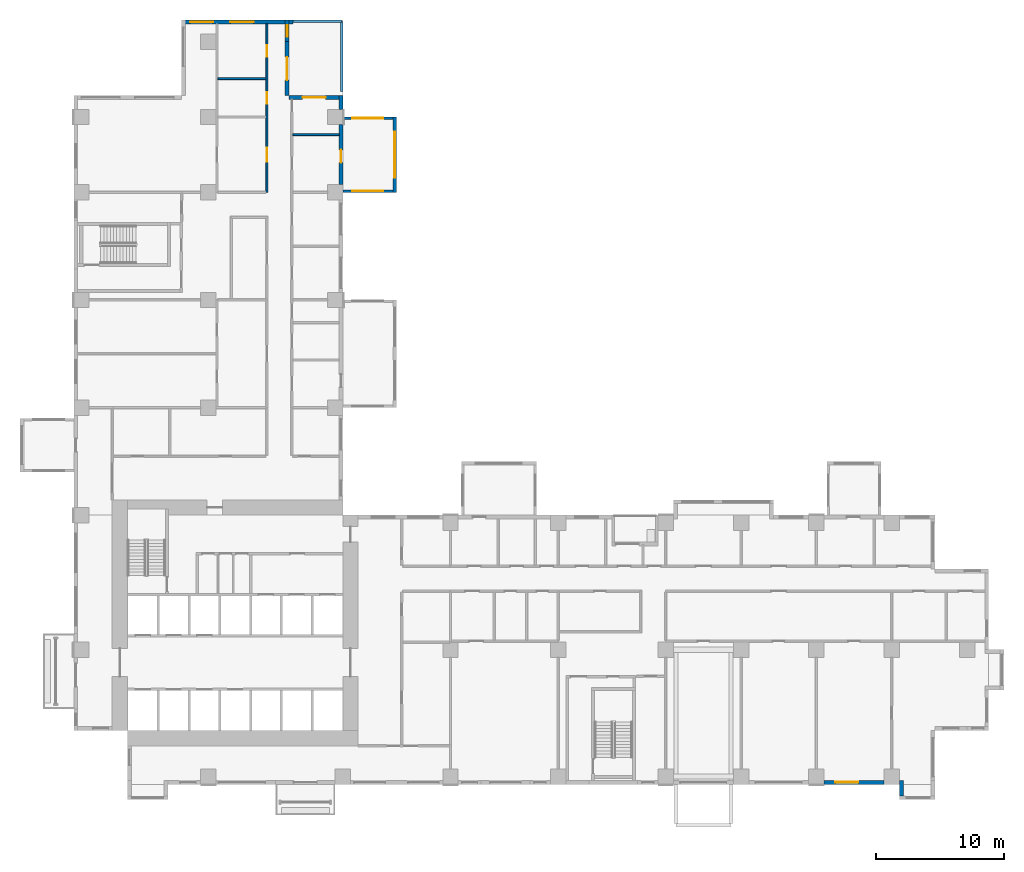
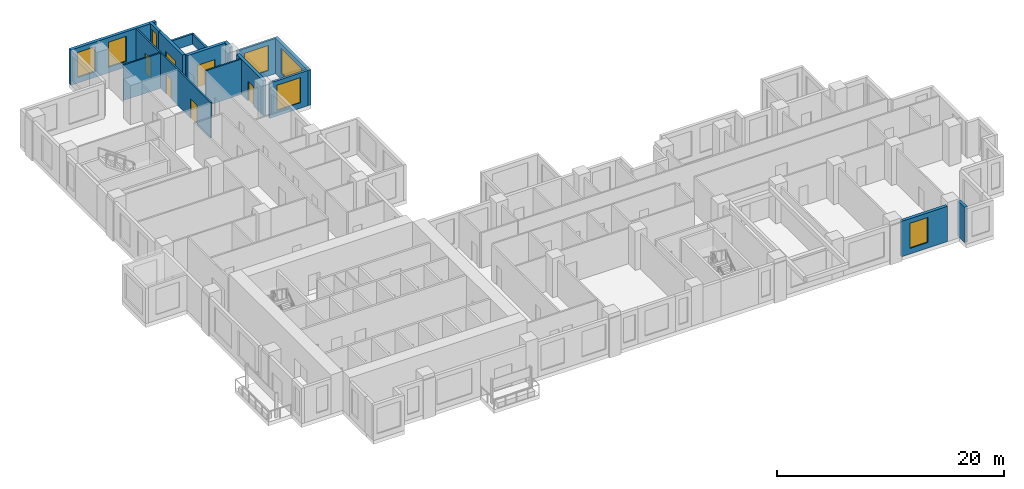
# One storey, part 8 of 14: 16 walls, 7 windows, 6 doors, 13 openings.
"""IFC4 building model written with IfcOpenShell, lengths in metres."""

from ifc_helpers import new_model, si_unit, direction, frame, frame_2d, origin, place, context, subcontext, project, spatial, rectangle, extrude, source, transform, mapped, material, layer, layer_set, type_object, element, fill, save


model = new_model("IFC4")

# Units and contexts
model_context = context("Model", 3, precision=1e-05, world=origin(), true_north=direction((0.0, 1.0)))
body_context = subcontext(model_context, "Body", "Model", "MODEL_VIEW")
ifc_project = project(units=[si_unit("LENGTHUNIT", "METRE"), si_unit("AREAUNIT", "SQUARE_METRE"), si_unit("VOLUMEUNIT", "CUBIC_METRE"), si_unit("PLANEANGLEUNIT", "RADIAN"), si_unit("MASSUNIT", "GRAM", prefix="KILO")], contexts=[model_context])

# Site, building, storey
site_placement = place(None, origin())
site = spatial("IfcSite", under=ifc_project, at=site_placement, CompositionType="ELEMENT")
building_placement = place(site_placement, origin())
building = spatial("IfcBuilding", under=site, at=building_placement, Name="Aurelian Terraces", CompositionType="ELEMENT")
storey_placement = place(building_placement, frame((0.0, 0.0, 90.9)))
storey = spatial("IfcBuildingStorey", under=building, at=storey_placement, Name="L19", CompositionType="ELEMENT", Elevation=90.9)

# Wall, opening, window
ifc_material_1 = material(Name="Terracotta rainscreen cladding", Category="masonry")
ifc_layer_1 = layer(ifc_material_1, 0.3)
ifc_layer_set_1 = layer_set([ifc_layer_1], Name="EW-300")
wall_type_1 = type_object("IfcWallType", Name="EW-300", PredefinedType="STANDARD", material=ifc_layer_set_1)
shared_shape_1 = source(origin(), body_context, "Body", "SweptSolid", [
    extrude(rectangle(XDim=4.68, YDim=0.3, at=frame_2d((2.34, 0.0))), origin(), (0.0, 0.0, 1.0), 3.8),
])
wall_1_placement = place(storey_placement, frame((58.56, 0.15, 0.0), z_axis=(0.0, 0.0, 1.0), x_axis=(1.0, 0.0, 0.0)))
wall_1 = element("IfcWall", 1, at=wall_1_placement, inside=storey, type_object=wall_type_1, Name="External wall L19 F01.10", PredefinedType="STANDARD", context=body_context, shape_type="MappedRepresentation", body=[
    mapped(shared_shape_1, transform((0.0, 0.0, 0.0), scale=1.0)),
])
shared_shape_2 = source(origin(), body_context, "Body", "SweptSolid", [
    extrude(rectangle(XDim=1.8, YDim=2.7, at=frame_2d((0.9, 1.35))), frame((0.0, 0.16, 0.0), z_axis=(0.0, -1.0, 0.0), x_axis=(1.0, 0.0, 0.0)), (0.0, 0.0, 1.0), 0.32),
])
opening_1_placement = place(wall_1_placement, frame((0.8775, 0.0, 0.6)))
opening_1 = element("IfcOpeningElement", 2, at=opening_1_placement, cuts=wall_1, Name="Opening W1827", PredefinedType="OPENING", context=body_context, shape_type="MappedRepresentation", body=[
    mapped(shared_shape_2, transform((0.0, 0.0, 0.0), scale=1.0)),
])
ifc_material_2 = material(Name="Clear glazing", Category="glass")
window_type_1 = type_object("IfcWindowType", Name="W-1800x2700", PartitioningType="SINGLE_PANEL", PredefinedType="WINDOW", material=ifc_material_2)
shared_shape_3 = source(origin(), body_context, "Body", "SweptSolid", [
    extrude(rectangle(XDim=1.8, YDim=2.7, at=frame_2d((0.9, 1.35))), frame((0.0, 0.03, 0.0), z_axis=(0.0, -1.0, 0.0), x_axis=(1.0, 0.0, 0.0)), (0.0, 0.0, 1.0), 0.06),
])
window_1_placement = place(opening_1_placement, origin())
window_1 = element("IfcWindow", 3, at=window_1_placement, inside=storey, type_object=window_type_1, Name="Window L19 L19-F01-10-0", OverallHeight=2.7, OverallWidth=1.8, PartitioningType="SINGLE_PANEL", PredefinedType="WINDOW", context=body_context, shape_type="MappedRepresentation", body=[
    mapped(shared_shape_3, transform((0.0, 0.0, 0.0), scale=1.0)),
])
fill(opening_1, window_1)

# Wall, opening, door
wall_2_placement = place(storey_placement, frame((20.85, 46.8, 0.0), z_axis=(0.0, 0.0, 1.0), x_axis=(0.0, 1.0, 0.0)))
wall_2 = element("IfcWall", 4, at=wall_2_placement, inside=storey, type_object=wall_type_1, Name="External wall L19 F08.27", PredefinedType="STANDARD", context=body_context, shape_type="MappedRepresentation", body=[
    mapped(shared_shape_1, transform((0.0, 0.0, 0.0), scale=1.0)),
])
shared_shape_4 = source(origin(), body_context, "Body", "SweptSolid", [
    extrude(rectangle(XDim=1.0, YDim=2.1, at=frame_2d((0.5, 1.05))), frame((0.0, 0.16, 0.0), z_axis=(0.0, -1.0, 0.0), x_axis=(1.0, 0.0, 0.0)), (0.0, 0.0, 1.0), 0.32),
])
opening_2_placement = place(wall_2_placement, frame((1.7117, 0.0, 0.0)))
opening_2 = element("IfcOpeningElement", 5, at=opening_2_placement, cuts=wall_2, Name="Opening 819001", PredefinedType="OPENING", context=body_context, shape_type="MappedRepresentation", body=[
    mapped(shared_shape_4, transform((0.0, 0.0, 0.0), scale=1.0)),
])
ifc_material_3 = material(Name="Timber door leaf", Category="wood")
door_type_1 = type_object("IfcDoorType", Name="Room door 1000x2100 left", OperationType="SINGLE_SWING_LEFT", PredefinedType="DOOR", material=ifc_material_3)
shared_shape_5 = source(origin(), body_context, "Body", "SweptSolid", [
    extrude(rectangle(XDim=1.0, YDim=2.1, at=frame_2d((0.5, 1.05))), frame((0.0, 0.025, 0.0), z_axis=(0.0, -1.0, 0.0), x_axis=(1.0, 0.0, 0.0)), (0.0, 0.0, 1.0), 0.05),
])
door_1_placement = place(opening_2_placement, origin())
door_1 = element("IfcDoor", 6, at=door_1_placement, inside=storey, type_object=door_type_1, Name="Door 819001", OperationType="SINGLE_SWING_LEFT", OverallHeight=2.1, OverallWidth=1.0, PredefinedType="DOOR", context=body_context, shape_type="MappedRepresentation", body=[
    mapped(shared_shape_5, transform((0.0, 0.0, 0.0), scale=1.0)),
])
fill(opening_2, door_1)

shared_shape_6 = source(origin(), body_context, "Body", "SweptSolid", [
    extrude(rectangle(XDim=4.2, YDim=0.3, at=frame_2d((2.1, 0.0))), origin(), (0.0, 0.0, 1.0), 3.8),
])
wall_3_placement = place(storey_placement, frame((21.0, 53.61, 0.0), z_axis=(0.0, 0.0, 1.0), x_axis=(-1.0, 0.0, 0.0)))
wall_3 = element("IfcWall", 7, at=wall_3_placement, inside=storey, type_object=wall_type_1, Name="External wall L19 F09.29", PredefinedType="STANDARD", context=body_context, shape_type="MappedRepresentation", body=[
    mapped(shared_shape_6, transform((0.0, 0.0, 0.0), scale=1.0)),
])
shared_shape_7 = source(origin(), body_context, "Body", "SweptSolid", [
    extrude(rectangle(XDim=1.8, YDim=2.4, at=frame_2d((0.9, 1.2))), frame((0.0, 0.16, 0.0), z_axis=(0.0, -1.0, 0.0), x_axis=(1.0, 0.0, 0.0)), (0.0, 0.0, 1.0), 0.32),
])
opening_3_placement = place(wall_3_placement, frame((1.35, 0.0, 0.0)))
opening_3 = element("IfcOpeningElement", 8, at=opening_3_placement, cuts=wall_3, Name="Opening 81903", PredefinedType="OPENING", context=body_context, shape_type="MappedRepresentation", body=[
    mapped(shared_shape_7, transform((0.0, 0.0, 0.0), scale=1.0)),
])
door_type_2 = type_object("IfcDoorType", Name="BD-1800x2400", OperationType="SLIDING_TO_LEFT", PredefinedType="DOOR", material=ifc_material_2)
shared_shape_8 = source(origin(), body_context, "Body", "SweptSolid", [
    extrude(rectangle(XDim=1.8, YDim=2.4, at=frame_2d((0.9, 1.2))), frame((0.0, 0.025, 0.0), z_axis=(0.0, -1.0, 0.0), x_axis=(1.0, 0.0, 0.0)), (0.0, 0.0, 1.0), 0.05),
])
door_2_placement = place(opening_3_placement, origin())
door_2 = element("IfcDoor", 9, at=door_2_placement, inside=storey, type_object=door_type_2, Name="Terrace door L19 L19-F09-29.1", OperationType="SLIDING_TO_LEFT", OverallHeight=2.4, OverallWidth=1.8, PredefinedType="DOOR", context=body_context, shape_type="MappedRepresentation", body=[
    mapped(shared_shape_8, transform((0.0, 0.0, 0.0), scale=1.0)),
])
fill(opening_3, door_2)

wall_4_placement = place(storey_placement, frame((16.65, 53.76, 0.0), z_axis=(0.0, 0.0, 1.0), x_axis=(0.0, 1.0, 0.0)))
wall_4 = element("IfcWall", 10, at=wall_4_placement, inside=storey, type_object=wall_type_1, Name="External wall L19 F10.30", PredefinedType="STANDARD", context=body_context, shape_type="MappedRepresentation", body=[
    mapped(shared_shape_6, transform((0.0, 0.0, 0.0), scale=1.0)),
])
opening_4_placement = place(wall_4_placement, frame((1.2, 0.0, 0.0)))
opening_4 = element("IfcOpeningElement", 11, at=opening_4_placement, cuts=wall_4, Name="Opening 81904", PredefinedType="OPENING", context=body_context, shape_type="MappedRepresentation", body=[
    mapped(shared_shape_7, transform((0.0, 0.0, 0.0), scale=1.0)),
])
door_3_placement = place(opening_4_placement, origin())
door_3 = element("IfcDoor", 12, at=door_3_placement, inside=storey, type_object=door_type_2, Name="Terrace door L19 L19-F10-30.1", OperationType="SLIDING_TO_LEFT", OverallHeight=2.4, OverallWidth=1.8, PredefinedType="DOOR", context=body_context, shape_type="MappedRepresentation", body=[
    mapped(shared_shape_8, transform((0.0, 0.0, 0.0), scale=1.0)),
])
fill(opening_4, door_3)

# Wall
shared_shape_9 = source(origin(), body_context, "Body", "SweptSolid", [
    extrude(rectangle(XDim=1.2, YDim=0.3, at=frame_2d((0.6, 0.0))), origin(), (0.0, 0.0, 1.0), 3.8),
])
wall_5_placement = place(storey_placement, frame((64.59, 0.3, 0.0), z_axis=(0.0, 0.0, 1.0), x_axis=(0.0, -1.0, 0.0)))
element("IfcWall", 13, at=wall_5_placement, inside=storey, type_object=wall_type_1, Name="Bay return L19 F01.11.1", PredefinedType="STANDARD", context=body_context, shape_type="MappedRepresentation", body=[
    mapped(shared_shape_9, transform((0.0, 0.0, 0.0), scale=1.0)),
])

# Wall, opening, window
shared_shape_10 = source(origin(), body_context, "Body", "SweptSolid", [
    extrude(rectangle(XDim=1.68, YDim=0.3, at=frame_2d((0.84, 0.0))), origin(), (0.0, 0.0, 1.0), 3.8),
])
wall_6_placement = place(storey_placement, frame((16.65, 57.96, 0.0), z_axis=(0.0, 0.0, 1.0), x_axis=(0.0, 1.0, 0.0)))
wall_6 = element("IfcWall", 14, at=wall_6_placement, inside=storey, type_object=wall_type_1, Name="External wall L19 F10.31", PredefinedType="STANDARD", context=body_context, shape_type="MappedRepresentation", body=[
    mapped(shared_shape_10, transform((0.0, 0.0, 0.0), scale=1.0)),
])
shared_shape_11 = source(origin(), body_context, "Body", "SweptSolid", [
    extrude(rectangle(XDim=0.9, YDim=2.7, at=frame_2d((0.45, 1.35))), frame((0.0, 0.16, 0.0), z_axis=(0.0, -1.0, 0.0), x_axis=(1.0, 0.0, 0.0)), (0.0, 0.0, 1.0), 0.32),
])
opening_5_placement = place(wall_6_placement, frame((0.39, 0.0, 0.6)))
opening_5 = element("IfcOpeningElement", 15, at=opening_5_placement, cuts=wall_6, Name="Opening W0927", PredefinedType="OPENING", context=body_context, shape_type="MappedRepresentation", body=[
    mapped(shared_shape_11, transform((0.0, 0.0, 0.0), scale=1.0)),
])
window_type_2 = type_object("IfcWindowType", Name="W-900x2700", PartitioningType="SINGLE_PANEL", PredefinedType="WINDOW", material=ifc_material_2)
shared_shape_12 = source(origin(), body_context, "Body", "SweptSolid", [
    extrude(rectangle(XDim=0.9, YDim=2.7, at=frame_2d((0.45, 1.35))), frame((0.0, 0.03, 0.0), z_axis=(0.0, -1.0, 0.0), x_axis=(1.0, 0.0, 0.0)), (0.0, 0.0, 1.0), 0.06),
])
window_2_placement = place(opening_5_placement, origin())
window_2 = element("IfcWindow", 16, at=window_2_placement, inside=storey, type_object=window_type_2, Name="Window L19 L19-F10-31-P0", OverallHeight=2.7, OverallWidth=0.9, PartitioningType="SINGLE_PANEL", PredefinedType="WINDOW", context=body_context, shape_type="MappedRepresentation", body=[
    mapped(shared_shape_12, transform((0.0, 0.0, 0.0), scale=1.0)),
])
fill(opening_5, window_2)

# Wall
shared_shape_13 = source(origin(), body_context, "Body", "SweptSolid", [
    extrude(rectangle(XDim=1.08, YDim=0.3, at=frame_2d((0.54, 0.0))), origin(), (0.0, 0.0, 1.0), 3.8),
])
wall_7_placement = place(storey_placement, frame((20.85, 52.68, 0.0), z_axis=(0.0, 0.0, 1.0), x_axis=(0.0, 1.0, 0.0)))
element("IfcWall", 17, at=wall_7_placement, inside=storey, type_object=wall_type_1, Name="External wall L19 F08.28", PredefinedType="STANDARD", context=body_context, shape_type="MappedRepresentation", body=[
    mapped(shared_shape_13, transform((0.0, 0.0, 0.0), scale=1.0)),
])

# Wall, opening, window
ifc_material_4 = material(Name="Concrete fc' 40 MPa", Category="concrete")
ifc_layer_2 = layer(ifc_material_4, 0.2)
ifc_layer_set_2 = layer_set([ifc_layer_2], Name="BOX BEARING WALL 200")
wall_type_2 = type_object("IfcWallType", Name="BOX BEARING WALL 200", PredefinedType="SOLIDWALL", material=ifc_layer_set_2)
shared_shape_14 = source(origin(), body_context, "Body", "SweptSolid", [
    extrude(rectangle(XDim=3.9, YDim=0.2, at=frame_2d((1.95, 0.0))), origin(), (0.0, 0.0, 1.0), 3.8),
])
wall_8_placement = place(storey_placement, frame((21.0, 46.3, 0.0), z_axis=(0.0, 0.0, 1.0), x_axis=(1.0, 0.0, 0.0)))
wall_8 = element("IfcWall", 18, at=wall_8_placement, inside=storey, type_object=wall_type_2, Name="Box return L19 J23.1", PredefinedType="SOLIDWALL", context=body_context, shape_type="MappedRepresentation", body=[
    mapped(shared_shape_14, transform((0.0, 0.0, 0.0), scale=1.0)),
])
shared_shape_15 = source(origin(), body_context, "Body", "SweptSolid", [
    extrude(rectangle(XDim=2.4, YDim=2.7, at=frame_2d((1.2, 1.35))), frame((0.0, 0.11, 0.0), z_axis=(0.0, -1.0, 0.0), x_axis=(1.0, 0.0, 0.0)), (0.0, 0.0, 1.0), 0.22),
])
opening_6_placement = place(wall_8_placement, frame((0.75, 0.0, 0.6)))
opening_6 = element("IfcOpeningElement", 19, at=opening_6_placement, cuts=wall_8, Name="Opening W2427", PredefinedType="OPENING", context=body_context, shape_type="MappedRepresentation", body=[
    mapped(shared_shape_15, transform((0.0, 0.0, 0.0), scale=1.0)),
])
window_type_3 = type_object("IfcWindowType", Name="W-2400x2700", PartitioningType="SINGLE_PANEL", PredefinedType="WINDOW", material=ifc_material_2)
shared_shape_16 = source(origin(), body_context, "Body", "SweptSolid", [
    extrude(rectangle(XDim=2.4, YDim=2.7, at=frame_2d((1.2, 1.35))), frame((0.0, 0.03, 0.0), z_axis=(0.0, -1.0, 0.0), x_axis=(1.0, 0.0, 0.0)), (0.0, 0.0, 1.0), 0.06),
])
window_3_placement = place(opening_6_placement, origin())
window_3 = element("IfcWindow", 20, at=window_3_placement, inside=storey, type_object=window_type_3, Name="Window L19 J23-S1", OverallHeight=2.7, OverallWidth=2.4, PartitioningType="SINGLE_PANEL", PredefinedType="WINDOW", context=body_context, shape_type="MappedRepresentation", body=[
    mapped(shared_shape_16, transform((0.0, 0.0, 0.0), scale=1.0)),
])
fill(opening_6, window_3)

wall_9_placement = place(storey_placement, frame((21.0, 51.98, 0.0), z_axis=(0.0, 0.0, 1.0), x_axis=(1.0, 0.0, 0.0)))
wall_9 = element("IfcWall", 21, at=wall_9_placement, inside=storey, type_object=wall_type_2, Name="Box return L19 J23.2", PredefinedType="SOLIDWALL", context=body_context, shape_type="MappedRepresentation", body=[
    mapped(shared_shape_14, transform((0.0, 0.0, 0.0), scale=1.0)),
])
opening_7_placement = place(wall_9_placement, frame((0.75, 0.0, 0.6)))
opening_7 = element("IfcOpeningElement", 22, at=opening_7_placement, cuts=wall_9, Name="Opening W2427", PredefinedType="OPENING", context=body_context, shape_type="MappedRepresentation", body=[
    mapped(shared_shape_15, transform((0.0, 0.0, 0.0), scale=1.0)),
])
window_4_placement = place(opening_7_placement, origin())
window_4 = element("IfcWindow", 23, at=window_4_placement, inside=storey, type_object=window_type_3, Name="Window L19 J23-S2", OverallHeight=2.7, OverallWidth=2.4, PartitioningType="SINGLE_PANEL", PredefinedType="WINDOW", context=body_context, shape_type="MappedRepresentation", body=[
    mapped(shared_shape_16, transform((0.0, 0.0, 0.0), scale=1.0)),
])
fill(opening_7, window_4)

ifc_layer_3 = layer(ifc_material_4, 0.3)
ifc_layer_set_3 = layer_set([ifc_layer_3], Name="BOX BEARING WALL 300")
wall_type_3 = type_object("IfcWallType", Name="BOX BEARING WALL 300", PredefinedType="SOLIDWALL", material=ifc_layer_set_3)
shared_shape_17 = source(origin(), body_context, "Body", "SweptSolid", [
    extrude(rectangle(XDim=5.88, YDim=0.3, at=frame_2d((2.94, 0.0))), origin(), (0.0, 0.0, 1.0), 3.8),
])
wall_10_placement = place(storey_placement, frame((25.05, 46.2, 0.0), z_axis=(0.0, 0.0, 1.0), x_axis=(0.0, 1.0, 0.0)))
wall_10 = element("IfcWall", 24, at=wall_10_placement, inside=storey, type_object=wall_type_3, Name="Box wall L19 J23", PredefinedType="SOLIDWALL", context=body_context, shape_type="MappedRepresentation", body=[
    mapped(shared_shape_17, transform((0.0, 0.0, 0.0), scale=1.0)),
])
shared_shape_18 = source(origin(), body_context, "Body", "SweptSolid", [
    extrude(rectangle(XDim=3.6, YDim=2.7, at=frame_2d((1.8, 1.35))), frame((0.0, 0.16, 0.0), z_axis=(0.0, -1.0, 0.0), x_axis=(1.0, 0.0, 0.0)), (0.0, 0.0, 1.0), 0.32),
])
opening_8_placement = place(wall_10_placement, frame((1.14, 0.0, 0.6)))
opening_8 = element("IfcOpeningElement", 25, at=opening_8_placement, cuts=wall_10, Name="Opening W3627", PredefinedType="OPENING", context=body_context, shape_type="MappedRepresentation", body=[
    mapped(shared_shape_18, transform((0.0, 0.0, 0.0), scale=1.0)),
])
window_type_4 = type_object("IfcWindowType", Name="W-3600x2700", PartitioningType="SINGLE_PANEL", PredefinedType="WINDOW", material=ifc_material_2)
shared_shape_19 = source(origin(), body_context, "Body", "SweptSolid", [
    extrude(rectangle(XDim=3.6, YDim=2.7, at=frame_2d((1.8, 1.35))), frame((0.0, 0.03, 0.0), z_axis=(0.0, -1.0, 0.0), x_axis=(1.0, 0.0, 0.0)), (0.0, 0.0, 1.0), 0.06),
])
window_5_placement = place(opening_8_placement, origin())
window_5 = element("IfcWindow", 26, at=window_5_placement, inside=storey, type_object=window_type_4, Name="Window L19 J23-F1", OverallHeight=2.7, OverallWidth=3.6, PartitioningType="SINGLE_PANEL", PredefinedType="WINDOW", context=body_context, shape_type="MappedRepresentation", body=[
    mapped(shared_shape_19, transform((0.0, 0.0, 0.0), scale=1.0)),
])
fill(opening_8, window_5)

# Wall, openings, windows
shared_shape_20 = source(origin(), body_context, "Body", "SweptSolid", [
    extrude(rectangle(XDim=8.7, YDim=0.3, at=frame_2d((4.35, 0.0))), origin(), (0.0, 0.0, 1.0), 3.8),
])
wall_11_placement = place(storey_placement, frame((17.1, 59.49, 0.0), z_axis=(0.0, 0.0, 1.0), x_axis=(-1.0, 0.0, 0.0)))
wall_11 = element("IfcWall", 27, at=wall_11_placement, inside=storey, type_object=wall_type_1, Name="External wall L19 F11.32", PredefinedType="STANDARD", context=body_context, shape_type="MappedRepresentation", body=[
    mapped(shared_shape_20, transform((0.0, 0.0, 0.0), scale=1.0)),
])
opening_9_placement = place(wall_11_placement, frame((3.075, 0.0, 0.6)))
opening_9 = element("IfcOpeningElement", 28, at=opening_9_placement, cuts=wall_11, Name="Opening W1827", PredefinedType="OPENING", context=body_context, shape_type="MappedRepresentation", body=[
    mapped(shared_shape_2, transform((0.0, 0.0, 0.0), scale=1.0)),
])
opening_10_placement = place(wall_11_placement, frame((6.225, 0.0, 0.6)))
opening_10 = element("IfcOpeningElement", 29, at=opening_10_placement, cuts=wall_11, Name="Opening W1827", PredefinedType="OPENING", context=body_context, shape_type="MappedRepresentation", body=[
    mapped(shared_shape_2, transform((0.0, 0.0, 0.0), scale=1.0)),
])
window_6_placement = place(opening_9_placement, origin())
window_6 = element("IfcWindow", 30, at=window_6_placement, inside=storey, type_object=window_type_1, Name="Window L19 L19-F11-32-1", OverallHeight=2.7, OverallWidth=1.8, PartitioningType="SINGLE_PANEL", PredefinedType="WINDOW", context=body_context, shape_type="MappedRepresentation", body=[
    mapped(shared_shape_3, transform((0.0, 0.0, 0.0), scale=1.0)),
])
fill(opening_9, window_6)
window_7_placement = place(opening_10_placement, origin())
window_7 = element("IfcWindow", 31, at=window_7_placement, inside=storey, type_object=window_type_1, Name="Window L19 L19-F11-32-2", OverallHeight=2.7, OverallWidth=1.8, PartitioningType="SINGLE_PANEL", PredefinedType="WINDOW", context=body_context, shape_type="MappedRepresentation", body=[
    mapped(shared_shape_3, transform((0.0, 0.0, 0.0), scale=1.0)),
])
fill(opening_10, window_7)

# Walls
ifc_layer_4 = layer(ifc_material_1, 0.2)
ifc_layer_set_4 = layer_set([ifc_layer_4], Name="PARAPET-200")
wall_type_4 = type_object("IfcWallType", Name="PARAPET-200", PredefinedType="PARAPET", material=ifc_layer_set_4)
shared_shape_21 = source(origin(), body_context, "Body", "SweptSolid", [
    extrude(rectangle(XDim=5.49, YDim=0.2, at=frame_2d((2.745, 0.0))), origin(), (0.0, 0.0, 1.0), 1.1),
])
wall_12_placement = place(storey_placement, frame((20.91, 59.55, 0.0), z_axis=(0.0, 0.0, 1.0), x_axis=(0.0, -1.0, 0.0)))
element("IfcWall", 32, at=wall_12_placement, inside=storey, type_object=wall_type_4, Name="Parapet L19 L19-X1", PredefinedType="PARAPET", context=body_context, shape_type="MappedRepresentation", body=[
    mapped(shared_shape_21, transform((0.0, 0.0, 0.0), scale=1.0)),
])
shared_shape_22 = source(origin(), body_context, "Body", "SweptSolid", [
    extrude(rectangle(XDim=3.81, YDim=0.2, at=frame_2d((1.905, 0.0))), origin(), (0.0, 0.0, 1.0), 1.1),
])
wall_13_placement = place(storey_placement, frame((17.1, 59.55, 0.0), z_axis=(0.0, 0.0, 1.0), x_axis=(1.0, 0.0, 0.0)))
element("IfcWall", 33, at=wall_13_placement, inside=storey, type_object=wall_type_4, Name="Parapet L19 L19-X1", PredefinedType="PARAPET", context=body_context, shape_type="MappedRepresentation", body=[
    mapped(shared_shape_22, transform((0.0, 0.0, 0.0), scale=1.0)),
])
ifc_material_5 = material(Name="Gypsum board on steel studs", Category="steel")
ifc_layer_5 = layer(ifc_material_5, 0.15)
ifc_layer_set_5 = layer_set([ifc_layer_5], Name="Partition 150")
wall_type_5 = type_object("IfcWallType", Name="Partition 150", PredefinedType="PARTITIONING", material=ifc_layer_set_5)
shared_shape_23 = source(origin(), body_context, "Body", "SweptSolid", [
    extrude(rectangle(XDim=3.75, YDim=0.15, at=frame_2d((1.875, 0.0))), origin(), (0.0, 0.0, 1.0), 3.8),
])
wall_14_placement = place(storey_placement, frame((15.0, 55.0768, 0.0), z_axis=(0.0, 0.0, 1.0), x_axis=(-1.0, 0.0, 0.0)))
element("IfcWall", 34, at=wall_14_placement, inside=storey, type_object=wall_type_5, Name="Partition", PredefinedType="PARTITIONING", context=body_context, shape_type="MappedRepresentation", body=[
    mapped(shared_shape_23, transform((0.0, 0.0, 0.0), scale=1.0)),
])
shared_shape_24 = source(origin(), body_context, "Body", "SweptSolid", [
    extrude(rectangle(XDim=3.6, YDim=0.15, at=frame_2d((1.8, 0.0))), origin(), (0.0, 0.0, 1.0), 3.8),
])
wall_15_placement = place(storey_placement, frame((17.1, 50.7075, 0.0), z_axis=(0.0, 0.0, 1.0), x_axis=(1.0, 0.0, 0.0)))
element("IfcWall", 35, at=wall_15_placement, inside=storey, type_object=wall_type_5, Name="Partition", PredefinedType="PARTITIONING", context=body_context, shape_type="MappedRepresentation", body=[
    mapped(shared_shape_24, transform((0.0, 0.0, 0.0), scale=1.0)),
])

# Wall, openings, doors
ifc_layer_6 = layer(ifc_material_5, 0.15)
ifc_layer_set_6 = layer_set([ifc_layer_6], Name="Fire partition 150")
wall_type_6 = type_object("IfcWallType", Name="Fire partition 150", PredefinedType="PARTITIONING", material=ifc_layer_set_6)
shared_shape_25 = source(origin(), body_context, "Body", "SweptSolid", [
    extrude(rectangle(XDim=13.14, YDim=0.15, at=frame_2d((6.57, 0.0))), origin(), (0.0, 0.0, 1.0), 3.8),
])
wall_16_placement = place(storey_placement, frame((15.075, 46.2, 0.0), z_axis=(0.0, 0.0, 1.0), x_axis=(0.0, 1.0, 0.0)))
wall_16 = element("IfcWall", 36, at=wall_16_placement, inside=storey, type_object=wall_type_6, Name="Corridor wall", PredefinedType="PARTITIONING", context=body_context, shape_type="MappedRepresentation", body=[
    mapped(shared_shape_25, transform((0.0, 0.0, 0.0), scale=1.0)),
])
shared_shape_26 = source(origin(), body_context, "Body", "SweptSolid", [
    extrude(rectangle(XDim=1.1, YDim=2.1, at=frame_2d((0.55, 1.05))), frame((0.0, 0.085, 0.0), z_axis=(0.0, -1.0, 0.0), x_axis=(1.0, 0.0, 0.0)), (0.0, 0.0, 1.0), 0.17),
])
opening_11_placement = place(wall_16_placement, frame((2.39, 0.0, 0.0)))
opening_11 = element("IfcOpeningElement", 37, at=opening_11_placement, cuts=wall_16, Name="Opening 719036", PredefinedType="OPENING", context=body_context, shape_type="MappedRepresentation", body=[
    mapped(shared_shape_26, transform((0.0, 0.0, 0.0), scale=1.0)),
])
shared_shape_27 = source(origin(), body_context, "Body", "SweptSolid", [
    extrude(rectangle(XDim=0.9, YDim=2.1, at=frame_2d((0.45, 1.05))), frame((0.0, 0.085, 0.0), z_axis=(0.0, -1.0, 0.0), x_axis=(1.0, 0.0, 0.0)), (0.0, 0.0, 1.0), 0.17),
])
opening_12_placement = place(wall_16_placement, frame((6.9284, 0.0, 0.0)))
opening_12 = element("IfcOpeningElement", 38, at=opening_12_placement, cuts=wall_16, Name="Opening 719038", PredefinedType="OPENING", context=body_context, shape_type="MappedRepresentation", body=[
    mapped(shared_shape_27, transform((0.0, 0.0, 0.0), scale=1.0)),
])
opening_13_placement = place(wall_16_placement, frame((10.5959, 0.0, 0.0)))
opening_13 = element("IfcOpeningElement", 39, at=opening_13_placement, cuts=wall_16, Name="Opening 719039", PredefinedType="OPENING", context=body_context, shape_type="MappedRepresentation", body=[
    mapped(shared_shape_27, transform((0.0, 0.0, 0.0), scale=1.0)),
])
door_type_3 = type_object("IfcDoorType", Name="Room door 900x2100 left", OperationType="SINGLE_SWING_LEFT", PredefinedType="DOOR", material=ifc_material_3)
shared_shape_28 = source(origin(), body_context, "Body", "SweptSolid", [
    extrude(rectangle(XDim=0.9, YDim=2.1, at=frame_2d((0.45, 1.05))), frame((0.0, 0.025, 0.0), z_axis=(0.0, -1.0, 0.0), x_axis=(1.0, 0.0, 0.0)), (0.0, 0.0, 1.0), 0.05),
])
door_4_placement = place(opening_12_placement, origin())
door_4 = element("IfcDoor", 40, at=door_4_placement, inside=storey, type_object=door_type_3, Name="Door 719038", OperationType="SINGLE_SWING_LEFT", OverallHeight=2.1, OverallWidth=0.9, PredefinedType="DOOR", context=body_context, shape_type="MappedRepresentation", body=[
    mapped(shared_shape_28, transform((0.0, 0.0, 0.0), scale=1.0)),
])
fill(opening_12, door_4)
door_type_4 = type_object("IfcDoorType", Name="Room door 900x2100 right", OperationType="SINGLE_SWING_RIGHT", PredefinedType="DOOR", material=ifc_material_3)
door_5_placement = place(opening_13_placement, origin())
door_5 = element("IfcDoor", 41, at=door_5_placement, inside=storey, type_object=door_type_4, Name="Door 719039", OperationType="SINGLE_SWING_RIGHT", OverallHeight=2.1, OverallWidth=0.9, PredefinedType="DOOR", context=body_context, shape_type="MappedRepresentation", body=[
    mapped(shared_shape_28, transform((0.0, 0.0, 0.0), scale=1.0)),
])
fill(opening_13, door_5)
door_type_5 = type_object("IfcDoorType", Name="Room door 1100x2100 left", OperationType="SINGLE_SWING_LEFT", PredefinedType="DOOR", material=ifc_material_3)
shared_shape_29 = source(origin(), body_context, "Body", "SweptSolid", [
    extrude(rectangle(XDim=1.1, YDim=2.1, at=frame_2d((0.55, 1.05))), frame((0.0, 0.025, 0.0), z_axis=(0.0, -1.0, 0.0), x_axis=(1.0, 0.0, 0.0)), (0.0, 0.0, 1.0), 0.05),
])
door_6_placement = place(opening_11_placement, origin())
door_6 = element("IfcDoor", 42, at=door_6_placement, inside=storey, type_object=door_type_5, Name="Door 719036", OperationType="SINGLE_SWING_LEFT", OverallHeight=2.1, OverallWidth=1.1, PredefinedType="DOOR", context=body_context, shape_type="MappedRepresentation", body=[
    mapped(shared_shape_29, transform((0.0, 0.0, 0.0), scale=1.0)),
])
fill(opening_11, door_6)

save(model, "model.ifc")
